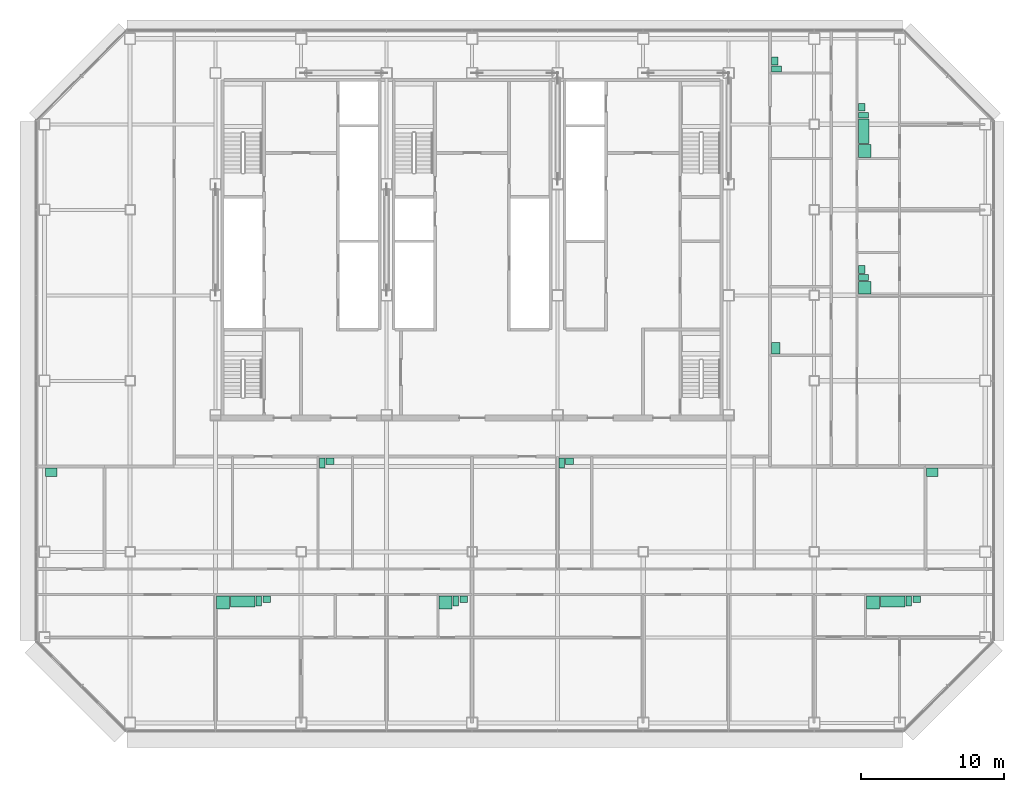
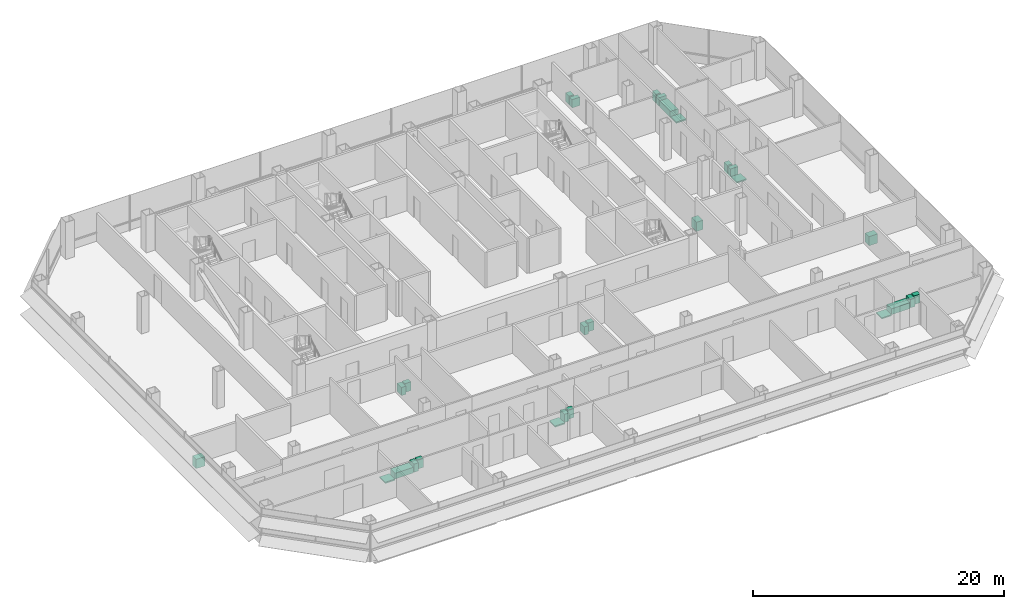
# One storey, part 25 of 25: 27 sanitary terminals.
"""IFC4 building model written with IfcOpenShell, lengths in metres."""

from ifc_helpers import new_model, si_unit, direction, frame, origin, origin_2d, place, context, subcontext, project, spatial, rectangle, extrude, element, save


model = new_model("IFC4")

# Units and contexts
model_context = context("Model", 3, precision=1e-05, world=origin(), true_north=direction((0.0, 1.0)))
body_context = subcontext(model_context, "Body", "Model", "MODEL_VIEW")
ifc_project = project(units=[si_unit("LENGTHUNIT", "METRE"), si_unit("AREAUNIT", "SQUARE_METRE"), si_unit("VOLUMEUNIT", "CUBIC_METRE"), si_unit("PLANEANGLEUNIT", "RADIAN"), si_unit("MASSUNIT", "GRAM", prefix="KILO")], contexts=[model_context])

# Site, building, storey
site_placement = place(None, origin())
site = spatial("IfcSite", under=ifc_project, at=site_placement, CompositionType="ELEMENT")
building_placement = place(site_placement, origin())
building = spatial("IfcBuilding", under=site, at=building_placement, Name="Sorahane Residences", CompositionType="ELEMENT")
storey_placement = place(building_placement, frame((0.0, 0.0, 143.800048828125)))
storey = spatial("IfcBuildingStorey", under=building, at=storey_placement, Name="L32", CompositionType="ELEMENT", Elevation=143.800048828125)

# Sanitary terminals
sanitary_terminal_1_placement = place(storey_placement, frame((6.530029296875, 8.449951171875, 0.0), z_axis=(0.0, 0.0, 1.0), x_axis=(1.0, 0.0, 0.0)))
element("IfcSanitaryTerminal", 1, at=sanitary_terminal_1_placement, inside=storey, Name="Shower tray En-suite bathroom 32A", PredefinedType="SHOWER", context=body_context, shape_type="SweptSolid", body=[
    extrude(rectangle(XDim=0.89990234375, YDim=0.89990234375, at=origin_2d()), origin(), (0.0, 0.0, 1.0), 0.1201171875),
])
sanitary_terminal_2_placement = place(storey_placement, frame((7.909912109375, 8.52490234375, 0.0), z_axis=(0.0, 0.0, 1.0), x_axis=(1.0, 0.0, 0.0)))
element("IfcSanitaryTerminal", 2, at=sanitary_terminal_2_placement, inside=storey, Name="Bath En-suite bathroom 32A", PredefinedType="BATH", context=body_context, shape_type="SweptSolid", body=[
    extrude(rectangle(XDim=1.699951171875, YDim=0.75, at=origin_2d()), origin(), (0.0, 0.0, 1.0), 0.56005859375),
])
sanitary_terminal_3_placement = place(storey_placement, frame((9.0400390625, 8.550048828125, 0.0), z_axis=(0.0, 0.0, 1.0), x_axis=(1.0, 0.0, 0.0)))
element("IfcSanitaryTerminal", 3, at=sanitary_terminal_3_placement, inside=storey, Name="WC pan En-suite bathroom 32A", PredefinedType="TOILETPAN", context=body_context, shape_type="SweptSolid", body=[
    extrude(rectangle(XDim=0.39990234375, YDim=0.699951171875, at=origin_2d()), origin(), (0.0, 0.0, 1.0), 0.800048828125),
])
sanitary_terminal_4_placement = place(storey_placement, frame((9.594970703125, 8.675048828125, 0.0), z_axis=(0.0, 0.0, 1.0), x_axis=(1.0, 0.0, 0.0)))
element("IfcSanitaryTerminal", 4, at=sanitary_terminal_4_placement, inside=storey, Name="Wash basin En-suite bathroom 32A", PredefinedType="WASHHANDBASIN", context=body_context, shape_type="SweptSolid", body=[
    extrude(rectangle(XDim=0.550048828125, YDim=0.449951171875, at=origin_2d()), origin(), (0.0, 0.0, 1.0), 0.85009765625),
])
sanitary_terminal_5_placement = place(storey_placement, frame((22.1298828125, 8.449951171875, 0.0), z_axis=(0.0, 0.0, 1.0), x_axis=(1.0, 0.0, 0.0)))
element("IfcSanitaryTerminal", 5, at=sanitary_terminal_5_placement, inside=storey, Name="Shower tray En-suite bathroom 32A-2", PredefinedType="SHOWER", context=body_context, shape_type="SweptSolid", body=[
    extrude(rectangle(XDim=0.89990234375, YDim=0.89990234375, at=origin_2d()), origin(), (0.0, 0.0, 1.0), 0.1201171875),
])
sanitary_terminal_6_placement = place(storey_placement, frame((22.860107421875, 8.550048828125, 0.0), z_axis=(0.0, 0.0, 1.0), x_axis=(1.0, 0.0, 0.0)))
element("IfcSanitaryTerminal", 6, at=sanitary_terminal_6_placement, inside=storey, Name="WC pan En-suite bathroom 32A-2", PredefinedType="TOILETPAN", context=body_context, shape_type="SweptSolid", body=[
    extrude(rectangle(XDim=0.39990234375, YDim=0.699951171875, at=origin_2d()), origin(), (0.0, 0.0, 1.0), 0.800048828125),
])
sanitary_terminal_7_placement = place(storey_placement, frame((23.4150390625, 8.675048828125, 0.0), z_axis=(0.0, 0.0, 1.0), x_axis=(1.0, 0.0, 0.0)))
element("IfcSanitaryTerminal", 7, at=sanitary_terminal_7_placement, inside=storey, Name="Wash basin En-suite bathroom 32A-2", PredefinedType="WASHHANDBASIN", context=body_context, shape_type="SweptSolid", body=[
    extrude(rectangle(XDim=0.550048828125, YDim=0.449951171875, at=origin_2d()), origin(), (0.0, 0.0, 1.0), 0.85009765625),
])
sanitary_terminal_8_placement = place(storey_placement, frame((-5.52001953125, 17.60009765625, 0.0), z_axis=(0.0, 0.0, 1.0), x_axis=(1.0, 0.0, 0.0)))
element("IfcSanitaryTerminal", 8, at=sanitary_terminal_8_placement, inside=storey, Name="Kitchen sink Kitchen 32A", PredefinedType="SINK", context=body_context, shape_type="SweptSolid", body=[
    extrude(rectangle(XDim=0.800048828125, YDim=0.60009765625, at=origin_2d()), origin(), (0.0, 0.0, 1.0), 0.89990234375),
])
sanitary_terminal_9_placement = place(storey_placement, frame((13.47998046875, 18.25, 0.0), z_axis=(0.0, 0.0, 1.0), x_axis=(1.0, 0.0, 0.0)))
element("IfcSanitaryTerminal", 9, at=sanitary_terminal_9_placement, inside=storey, Name="WC pan Powder room 32A", PredefinedType="TOILETPAN", context=body_context, shape_type="SweptSolid", body=[
    extrude(rectangle(XDim=0.39990234375, YDim=0.699951171875, at=origin_2d()), origin(), (0.0, 0.0, 1.0), 0.800048828125),
])
sanitary_terminal_10_placement = place(storey_placement, frame((14.034912109375, 18.375, 0.0), z_axis=(0.0, 0.0, 1.0), x_axis=(1.0, 0.0, 0.0)))
element("IfcSanitaryTerminal", 10, at=sanitary_terminal_10_placement, inside=storey, Name="Wash basin Powder room 32A", PredefinedType="WASHHANDBASIN", context=body_context, shape_type="SweptSolid", body=[
    extrude(rectangle(XDim=0.550048828125, YDim=0.449951171875, at=origin_2d()), origin(), (0.0, 0.0, 1.0), 0.85009765625),
])
sanitary_terminal_11_placement = place(storey_placement, frame((52.1298828125, 8.449951171875, 0.0), z_axis=(0.0, 0.0, 1.0), x_axis=(1.0, 0.0, 0.0)))
element("IfcSanitaryTerminal", 11, at=sanitary_terminal_11_placement, inside=storey, Name="Shower tray En-suite bathroom 32B", PredefinedType="SHOWER", context=body_context, shape_type="SweptSolid", body=[
    extrude(rectangle(XDim=0.89990234375, YDim=0.89990234375, at=origin_2d()), origin(), (0.0, 0.0, 1.0), 0.1201171875),
])
sanitary_terminal_12_placement = place(storey_placement, frame((53.510009765625, 8.52490234375, 0.0), z_axis=(0.0, 0.0, 1.0), x_axis=(1.0, 0.0, 0.0)))
element("IfcSanitaryTerminal", 12, at=sanitary_terminal_12_placement, inside=storey, Name="Bath En-suite bathroom 32B", PredefinedType="BATH", context=body_context, shape_type="SweptSolid", body=[
    extrude(rectangle(XDim=1.699951171875, YDim=0.75, at=origin_2d()), origin(), (0.0, 0.0, 1.0), 0.56005859375),
])
sanitary_terminal_13_placement = place(storey_placement, frame((54.639892578125, 8.550048828125, 0.0), z_axis=(0.0, 0.0, 1.0), x_axis=(1.0, 0.0, 0.0)))
element("IfcSanitaryTerminal", 13, at=sanitary_terminal_13_placement, inside=storey, Name="WC pan En-suite bathroom 32B", PredefinedType="TOILETPAN", context=body_context, shape_type="SweptSolid", body=[
    extrude(rectangle(XDim=0.39990234375, YDim=0.699951171875, at=origin_2d()), origin(), (0.0, 0.0, 1.0), 0.800048828125),
])
sanitary_terminal_14_placement = place(storey_placement, frame((55.195068359375, 8.675048828125, 0.0), z_axis=(0.0, 0.0, 1.0), x_axis=(1.0, 0.0, 0.0)))
element("IfcSanitaryTerminal", 14, at=sanitary_terminal_14_placement, inside=storey, Name="Wash basin En-suite bathroom 32B", PredefinedType="WASHHANDBASIN", context=body_context, shape_type="SweptSolid", body=[
    extrude(rectangle(XDim=0.550048828125, YDim=0.449951171875, at=origin_2d()), origin(), (0.0, 0.0, 1.0), 0.85009765625),
])
sanitary_terminal_15_placement = place(storey_placement, frame((30.280029296875, 18.25, 0.0), z_axis=(0.0, 0.0, 1.0), x_axis=(1.0, 0.0, 0.0)))
element("IfcSanitaryTerminal", 15, at=sanitary_terminal_15_placement, inside=storey, Name="WC pan Guest WC 32B", PredefinedType="TOILETPAN", context=body_context, shape_type="SweptSolid", body=[
    extrude(rectangle(XDim=0.39990234375, YDim=0.699951171875, at=origin_2d()), origin(), (0.0, 0.0, 1.0), 0.800048828125),
])
sanitary_terminal_16_placement = place(storey_placement, frame((30.8349609375, 18.375, 0.0), z_axis=(0.0, 0.0, 1.0), x_axis=(1.0, 0.0, 0.0)))
element("IfcSanitaryTerminal", 16, at=sanitary_terminal_16_placement, inside=storey, Name="Wash basin Guest WC 32B", PredefinedType="WASHHANDBASIN", context=body_context, shape_type="SweptSolid", body=[
    extrude(rectangle(XDim=0.550048828125, YDim=0.449951171875, at=origin_2d()), origin(), (0.0, 0.0, 1.0), 0.85009765625),
])
sanitary_terminal_17_placement = place(storey_placement, frame((56.280029296875, 17.60009765625, 0.0), z_axis=(0.0, 0.0, 1.0), x_axis=(1.0, 0.0, 0.0)))
element("IfcSanitaryTerminal", 17, at=sanitary_terminal_17_placement, inside=storey, Name="Kitchen sink Kitchen 32B", PredefinedType="SINK", context=body_context, shape_type="SweptSolid", body=[
    extrude(rectangle(XDim=0.800048828125, YDim=0.60009765625, at=origin_2d()), origin(), (0.0, 0.0, 1.0), 0.89990234375),
])
sanitary_terminal_18_placement = place(storey_placement, frame((51.550048828125, 30.530029296875, 0.0), z_axis=(0.0, 0.0, 1.0), x_axis=(0.0, 1.0, 0.0)))
element("IfcSanitaryTerminal", 18, at=sanitary_terminal_18_placement, inside=storey, Name="Shower tray En-suite bathroom 32C", PredefinedType="SHOWER", context=body_context, shape_type="SweptSolid", body=[
    extrude(rectangle(XDim=0.89990234375, YDim=0.89990234375, at=origin_2d()), origin(), (0.0, 0.0, 1.0), 0.1201171875),
])
sanitary_terminal_19_placement = place(storey_placement, frame((51.449951171875, 31.260009765625, 0.0), z_axis=(0.0, 0.0, 1.0), x_axis=(0.0, 1.0, 0.0)))
element("IfcSanitaryTerminal", 19, at=sanitary_terminal_19_placement, inside=storey, Name="WC pan En-suite bathroom 32C", PredefinedType="TOILETPAN", context=body_context, shape_type="SweptSolid", body=[
    extrude(rectangle(XDim=0.39990234375, YDim=0.699951171875, at=origin_2d()), origin(), (0.0, 0.0, 1.0), 0.800048828125),
])
sanitary_terminal_20_placement = place(storey_placement, frame((51.324951171875, 31.81494140625, 0.0), z_axis=(0.0, 0.0, 1.0), x_axis=(0.0, 1.0, 0.0)))
element("IfcSanitaryTerminal", 20, at=sanitary_terminal_20_placement, inside=storey, Name="Wash basin En-suite bathroom 32C", PredefinedType="WASHHANDBASIN", context=body_context, shape_type="SweptSolid", body=[
    extrude(rectangle(XDim=0.550048828125, YDim=0.449951171875, at=origin_2d()), origin(), (0.0, 0.0, 1.0), 0.85009765625),
])
sanitary_terminal_21_placement = place(storey_placement, frame((51.550048828125, 40.1298828125, 0.0), z_axis=(0.0, 0.0, 1.0), x_axis=(0.0, 1.0, 0.0)))
element("IfcSanitaryTerminal", 21, at=sanitary_terminal_21_placement, inside=storey, Name="Shower tray En-suite bathroom 32C-2", PredefinedType="SHOWER", context=body_context, shape_type="SweptSolid", body=[
    extrude(rectangle(XDim=0.89990234375, YDim=0.89990234375, at=origin_2d()), origin(), (0.0, 0.0, 1.0), 0.1201171875),
])
sanitary_terminal_22_placement = place(storey_placement, frame((51.47509765625, 41.510009765625, 0.0), z_axis=(0.0, 0.0, 1.0), x_axis=(0.0, 1.0, 0.0)))
element("IfcSanitaryTerminal", 22, at=sanitary_terminal_22_placement, inside=storey, Name="Bath En-suite bathroom 32C-2", PredefinedType="BATH", context=body_context, shape_type="SweptSolid", body=[
    extrude(rectangle(XDim=1.699951171875, YDim=0.75, at=origin_2d()), origin(), (0.0, 0.0, 1.0), 0.56005859375),
])
sanitary_terminal_23_placement = place(storey_placement, frame((51.449951171875, 42.639892578125, 0.0), z_axis=(0.0, 0.0, 1.0), x_axis=(0.0, 1.0, 0.0)))
element("IfcSanitaryTerminal", 23, at=sanitary_terminal_23_placement, inside=storey, Name="WC pan En-suite bathroom 32C-2", PredefinedType="TOILETPAN", context=body_context, shape_type="SweptSolid", body=[
    extrude(rectangle(XDim=0.39990234375, YDim=0.699951171875, at=origin_2d()), origin(), (0.0, 0.0, 1.0), 0.800048828125),
])
sanitary_terminal_24_placement = place(storey_placement, frame((51.324951171875, 43.195068359375, 0.0), z_axis=(0.0, 0.0, 1.0), x_axis=(0.0, 1.0, 0.0)))
element("IfcSanitaryTerminal", 24, at=sanitary_terminal_24_placement, inside=storey, Name="Wash basin En-suite bathroom 32C-2", PredefinedType="WASHHANDBASIN", context=body_context, shape_type="SweptSolid", body=[
    extrude(rectangle(XDim=0.550048828125, YDim=0.449951171875, at=origin_2d()), origin(), (0.0, 0.0, 1.0), 0.85009765625),
])
sanitary_terminal_25_placement = place(storey_placement, frame((45.300048828125, 26.280029296875, 0.0), z_axis=(0.0, 0.0, 1.0), x_axis=(0.0, 1.0, 0.0)))
element("IfcSanitaryTerminal", 25, at=sanitary_terminal_25_placement, inside=storey, Name="Kitchen sink Kitchen 32C", PredefinedType="SINK", context=body_context, shape_type="SweptSolid", body=[
    extrude(rectangle(XDim=0.800048828125, YDim=0.60009765625, at=origin_2d()), origin(), (0.0, 0.0, 1.0), 0.89990234375),
])
sanitary_terminal_26_placement = place(storey_placement, frame((45.35009765625, 45.8798828125, 0.0), z_axis=(0.0, 0.0, 1.0), x_axis=(0.0, 1.0, 0.0)))
element("IfcSanitaryTerminal", 26, at=sanitary_terminal_26_placement, inside=storey, Name="WC pan Powder room 32C", PredefinedType="TOILETPAN", context=body_context, shape_type="SweptSolid", body=[
    extrude(rectangle(XDim=0.39990234375, YDim=0.699951171875, at=origin_2d()), origin(), (0.0, 0.0, 1.0), 0.800048828125),
])
sanitary_terminal_27_placement = place(storey_placement, frame((45.22509765625, 46.43505859375, 0.0), z_axis=(0.0, 0.0, 1.0), x_axis=(0.0, 1.0, 0.0)))
element("IfcSanitaryTerminal", 27, at=sanitary_terminal_27_placement, inside=storey, Name="Wash basin Powder room 32C", PredefinedType="WASHHANDBASIN", context=body_context, shape_type="SweptSolid", body=[
    extrude(rectangle(XDim=0.550048828125, YDim=0.449951171875, at=origin_2d()), origin(), (0.0, 0.0, 1.0), 0.85009765625),
])

save(model, "model.ifc")
